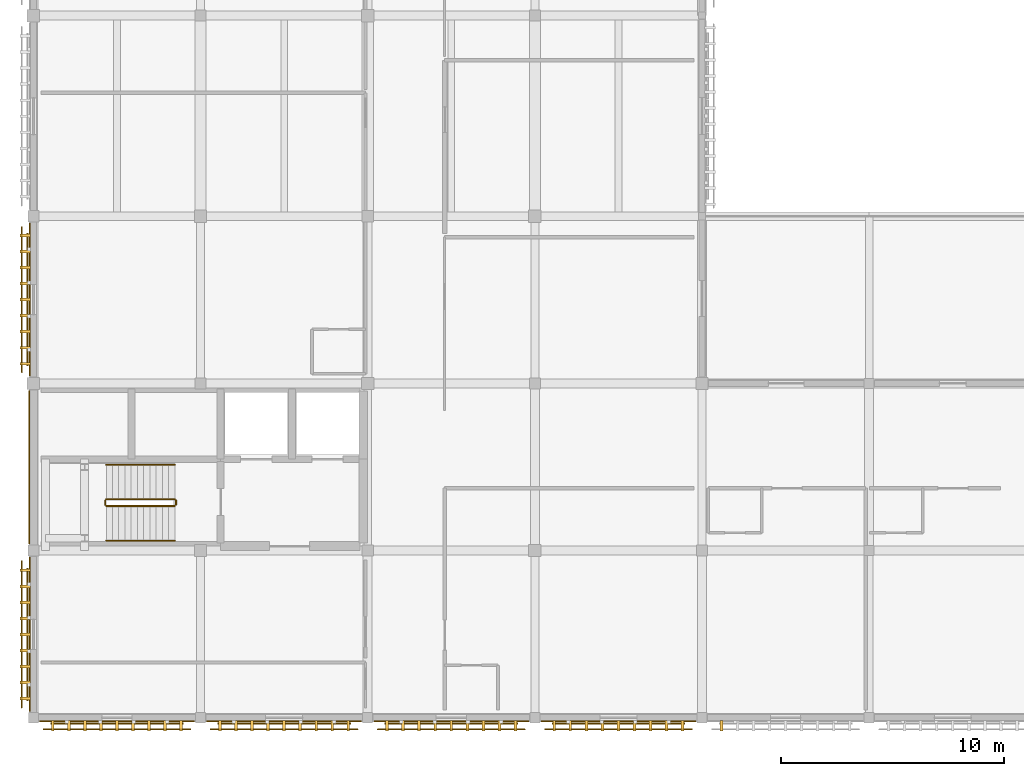
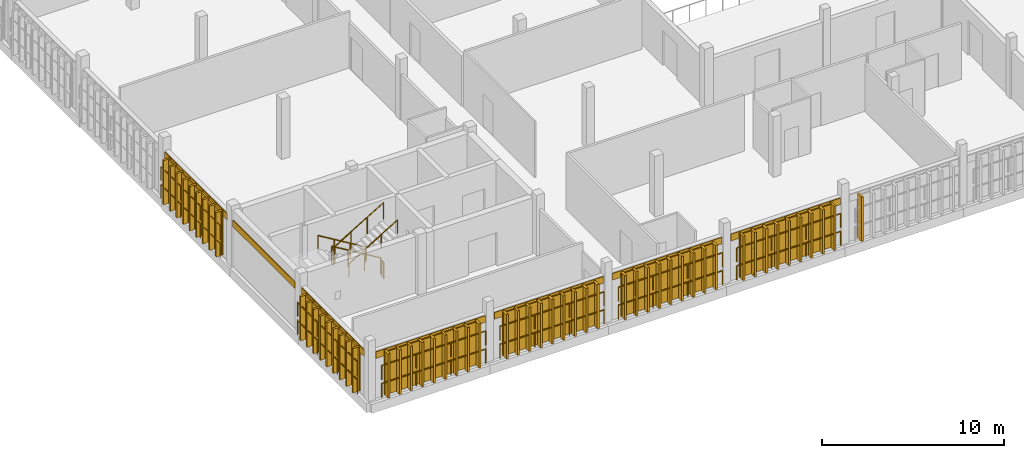
# One storey, part 13 of 17: 62 coverings, 24 shading devices, 18 railings.
"""IFC4 building model written with IfcOpenShell, lengths in metres."""

from ifc_helpers import new_model, si_unit, direction, frame, origin, origin_2d, place, context, subcontext, project, spatial, rectangle, circle, extrude, material, layer, layer_set, type_object, element, save


model = new_model("IFC4")

# Units and contexts
model_context = context("Model", 3, precision=1e-05, world=origin(), true_north=direction((0.0, 1.0)))
body_context = subcontext(model_context, "Body", "Model", "MODEL_VIEW")
ifc_project = project(units=[si_unit("LENGTHUNIT", "METRE"), si_unit("AREAUNIT", "SQUARE_METRE"), si_unit("VOLUMEUNIT", "CUBIC_METRE"), si_unit("PLANEANGLEUNIT", "RADIAN"), si_unit("MASSUNIT", "GRAM", prefix="KILO")], contexts=[model_context])

# Site, building, storey
site_placement = place(None, origin())
site = spatial("IfcSite", under=ifc_project, at=site_placement, CompositionType="ELEMENT")
building_placement = place(site_placement, origin())
building = spatial("IfcBuilding", under=site, at=building_placement, Name="Dalvernix Boulevard General Hospital", CompositionType="ELEMENT")
storey_placement = place(building_placement, frame((0.0, 0.0, 25.949951171875)))
storey = spatial("IfcBuildingStorey", under=building, at=storey_placement, Name="L06", CompositionType="ELEMENT", Elevation=25.949951171875)

# Coverings
ifc_material_1 = material(Name="Polychrome Catalan glazed ceramic spandrel tile panel")
ifc_layer_1 = layer(ifc_material_1, 0.044921875)
ifc_layer_set_1 = layer_set([ifc_layer_1], Name="Polychrome Catalan glazed ceramic spandrel tile panel (COV-CLD-01)")
covering_type_1 = type_object("IfcCoveringType", Name="COV-CLD-01", PredefinedType="CLADDING", material=ifc_layer_set_1)
covering_1_placement = place(storey_placement, frame((3.75, -0.159912109375, 2.6953125), z_axis=(0.0, 0.0, 1.0), x_axis=(-1.0, 0.0, 0.0)))
element("IfcCovering", 1, at=covering_1_placement, inside=storey, type_object=covering_type_1, Name="L06 polychrome ceramic spandrel S 0-0", PredefinedType="CLADDING", context=body_context, shape_type="SweptSolid", body=[
    extrude(rectangle(XDim=6.929931640625, YDim=0.044921875, at=origin_2d()), origin(), (0.0, 0.0, 1.0), 0.449951171875),
])
covering_2_placement = place(storey_placement, frame((-0.159912109375, 3.737548828125, 2.6953125), z_axis=(0.0, 0.0, 1.0), x_axis=(0.0, 1.0, 0.0)))
element("IfcCovering", 2, at=covering_2_placement, inside=storey, type_object=covering_type_1, Name="L06 polychrome ceramic spandrel W 0-0", PredefinedType="CLADDING", context=body_context, shape_type="SweptSolid", body=[
    extrude(rectangle(XDim=6.905029296875, YDim=0.044921875, at=origin_2d()), origin(), (0.0, 0.0, 1.0), 0.449951171875),
])
for number, where, z_axis, x_axis, name in (
    (3, (-0.195068359375, 11.237548828125, 2.6953125), (0.0, 0.0, 1.0), (0.0, 1.0, 0.0), "L06 polychrome ceramic spandrel W 0-1"),
    (4, (-0.159912109375, 18.762451171875, 2.6953125), (0.0, 0.0, 1.0), (0.0, 1.0, 0.0), "L06 polychrome ceramic spandrel W 0-2"),
):
    element("IfcCovering", number, at=place(storey_placement, frame(where, z_axis=z_axis, x_axis=x_axis)), inside=storey, type_object=covering_type_1, Name=name, PredefinedType="CLADDING", context=body_context, shape_type="SweptSolid", body=[
        extrude(rectangle(XDim=6.85498046875, YDim=0.044921875, at=origin_2d()), origin(), (0.0, 0.0, 1.0), 0.449951171875),
    ])
for number, where, z_axis, x_axis, name in (
    (5, (11.25, -0.159912109375, 2.6953125), (0.0, 0.0, 1.0), (-1.0, 0.0, 0.0), "L06 polychrome ceramic spandrel S 1-0"),
    (6, (18.75, -0.159912109375, 2.6953125), (0.0, 0.0, 1.0), (-1.0, 0.0, 0.0), "L06 polychrome ceramic spandrel S 2-0"),
    (7, (26.25, -0.159912109375, 2.6953125), (0.0, 0.0, 1.0), (-1.0, 0.0, 0.0), "L06 polychrome ceramic spandrel S 3-0"),
):
    element("IfcCovering", number, at=place(storey_placement, frame(where, z_axis=z_axis, x_axis=x_axis)), inside=storey, type_object=covering_type_1, Name=name, PredefinedType="CLADDING", context=body_context, shape_type="SweptSolid", body=[
        extrude(rectangle(XDim=6.929931640625, YDim=0.044921875, at=origin_2d()), origin(), (0.0, 0.0, 1.0), 0.449951171875),
    ])
ifc_material_2 = material(Name="Preservative-treated West African iroko timber lattice screen", Category="wood")
ifc_layer_2 = layer(ifc_material_2, 0.1201171875)
ifc_layer_set_2 = layer_set([ifc_layer_2], Name="Preservative-treated West African iroko timber lattice screen (COV-TSCR-01)")
covering_type_2 = type_object("IfcCoveringType", Name="COV-TSCR-01", PredefinedType="CLADDING", material=ifc_layer_set_2)
for number, where, z_axis, x_axis, name in (
    (8, (6.6298828125, -0.360107421875, 0.10009765625), (0.0, 0.0, 1.0), (-1.0, 0.0, 0.0), "L06 upper-ward timber screen blade S 0-0-1"),
    (9, (5.909912109375, -0.360107421875, 0.10009765625), (0.0, 0.0, 1.0), (-1.0, 0.0, 0.0), "L06 upper-ward timber screen blade S 0-0-2"),
    (10, (5.18994140625, -0.360107421875, 0.10009765625), (0.0, 0.0, 1.0), (-1.0, 0.0, 0.0), "L06 upper-ward timber screen blade S 0-0-3"),
    (11, (4.469970703125, -0.360107421875, 0.10009765625), (0.0, 0.0, 1.0), (-1.0, 0.0, 0.0), "L06 upper-ward timber screen blade S 0-0-4"),
    (12, (3.75, -0.360107421875, 0.10009765625), (0.0, 0.0, 1.0), (-1.0, 0.0, 0.0), "L06 upper-ward timber screen blade S 0-0-5"),
    (13, (3.030029296875, -0.360107421875, 0.10009765625), (0.0, 0.0, 1.0), (-1.0, 0.0, 0.0), "L06 upper-ward timber screen blade S 0-0-6"),
    (14, (2.31005859375, -0.360107421875, 0.10009765625), (0.0, 0.0, 1.0), (-1.0, 0.0, 0.0), "L06 upper-ward timber screen blade S 0-0-7"),
    (15, (1.590087890625, -0.360107421875, 0.10009765625), (0.0, 0.0, 1.0), (-1.0, 0.0, 0.0), "L06 upper-ward timber screen blade S 0-0-8"),
    (16, (0.8701171875, -0.360107421875, 0.10009765625), (0.0, 0.0, 1.0), (-1.0, 0.0, 0.0), "L06 upper-ward timber screen blade S 0-0-9"),
    (17, (-0.360107421875, 0.857421875, 0.10009765625), (0.0, 0.0, 1.0), (0.0, 1.0, 0.0), "L06 upper-ward timber screen blade W 0-0-1"),
    (18, (-0.360107421875, 1.577392578125, 0.10009765625), (0.0, 0.0, 1.0), (0.0, 1.0, 0.0), "L06 upper-ward timber screen blade W 0-0-2"),
    (19, (-0.360107421875, 2.297607421875, 0.10009765625), (0.0, 0.0, 1.0), (0.0, 1.0, 0.0), "L06 upper-ward timber screen blade W 0-0-3"),
    (20, (-0.360107421875, 3.017578125, 0.10009765625), (0.0, 0.0, 1.0), (0.0, 1.0, 0.0), "L06 upper-ward timber screen blade W 0-0-4"),
    (21, (-0.360107421875, 3.737548828125, 0.10009765625), (0.0, 0.0, 1.0), (0.0, 1.0, 0.0), "L06 upper-ward timber screen blade W 0-0-5"),
    (22, (-0.360107421875, 4.45751953125, 0.10009765625), (0.0, 0.0, 1.0), (0.0, 1.0, 0.0), "L06 upper-ward timber screen blade W 0-0-6"),
    (23, (-0.360107421875, 5.177490234375, 0.10009765625), (0.0, 0.0, 1.0), (0.0, 1.0, 0.0), "L06 upper-ward timber screen blade W 0-0-7"),
    (24, (-0.360107421875, 5.8974609375, 0.10009765625), (0.0, 0.0, 1.0), (0.0, 1.0, 0.0), "L06 upper-ward timber screen blade W 0-0-8"),
    (25, (-0.360107421875, 6.617431640625, 0.10009765625), (0.0, 0.0, 1.0), (0.0, 1.0, 0.0), "L06 upper-ward timber screen blade W 0-0-9"),
    (26, (-0.360107421875, 15.882568359375, 0.10009765625), (0.0, 0.0, 1.0), (0.0, 1.0, 0.0), "L06 upper-ward timber screen blade W 0-2-1"),
    (27, (-0.360107421875, 16.6025390625, 0.10009765625), (0.0, 0.0, 1.0), (0.0, 1.0, 0.0), "L06 upper-ward timber screen blade W 0-2-2"),
    (28, (-0.360107421875, 17.322509765625, 0.10009765625), (0.0, 0.0, 1.0), (0.0, 1.0, 0.0), "L06 upper-ward timber screen blade W 0-2-3"),
    (29, (-0.360107421875, 18.04248046875, 0.10009765625), (0.0, 0.0, 1.0), (0.0, 1.0, 0.0), "L06 upper-ward timber screen blade W 0-2-4"),
    (30, (-0.360107421875, 18.762451171875, 0.10009765625), (0.0, 0.0, 1.0), (0.0, 1.0, 0.0), "L06 upper-ward timber screen blade W 0-2-5"),
    (31, (-0.360107421875, 19.482421875, 0.10009765625), (0.0, 0.0, 1.0), (0.0, 1.0, 0.0), "L06 upper-ward timber screen blade W 0-2-6"),
    (32, (-0.360107421875, 20.202392578125, 0.10009765625), (0.0, 0.0, 1.0), (0.0, 1.0, 0.0), "L06 upper-ward timber screen blade W 0-2-7"),
    (33, (-0.360107421875, 20.922607421875, 0.10009765625), (0.0, 0.0, 1.0), (0.0, 1.0, 0.0), "L06 upper-ward timber screen blade W 0-2-8"),
    (34, (-0.360107421875, 21.642578125, 0.10009765625), (0.0, 0.0, 1.0), (0.0, 1.0, 0.0), "L06 upper-ward timber screen blade W 0-2-9"),
    (35, (14.1298828125, -0.360107421875, 0.10009765625), (0.0, 0.0, 1.0), (-1.0, 0.0, 0.0), "L06 upper-ward timber screen blade S 1-0-1"),
    (36, (13.409912109375, -0.360107421875, 0.10009765625), (0.0, 0.0, 1.0), (-1.0, 0.0, 0.0), "L06 upper-ward timber screen blade S 1-0-2"),
    (37, (12.68994140625, -0.360107421875, 0.10009765625), (0.0, 0.0, 1.0), (-1.0, 0.0, 0.0), "L06 upper-ward timber screen blade S 1-0-3"),
    (38, (11.969970703125, -0.360107421875, 0.10009765625), (0.0, 0.0, 1.0), (-1.0, 0.0, 0.0), "L06 upper-ward timber screen blade S 1-0-4"),
    (39, (11.25, -0.360107421875, 0.10009765625), (0.0, 0.0, 1.0), (-1.0, 0.0, 0.0), "L06 upper-ward timber screen blade S 1-0-5"),
    (40, (10.530029296875, -0.360107421875, 0.10009765625), (0.0, 0.0, 1.0), (-1.0, 0.0, 0.0), "L06 upper-ward timber screen blade S 1-0-6"),
    (41, (9.81005859375, -0.360107421875, 0.10009765625), (0.0, 0.0, 1.0), (-1.0, 0.0, 0.0), "L06 upper-ward timber screen blade S 1-0-7"),
    (42, (9.090087890625, -0.360107421875, 0.10009765625), (0.0, 0.0, 1.0), (-1.0, 0.0, 0.0), "L06 upper-ward timber screen blade S 1-0-8"),
    (43, (8.3701171875, -0.360107421875, 0.10009765625), (0.0, 0.0, 1.0), (-1.0, 0.0, 0.0), "L06 upper-ward timber screen blade S 1-0-9"),
    (44, (21.6298828125, -0.360107421875, 0.10009765625), (0.0, 0.0, 1.0), (-1.0, 0.0, 0.0), "L06 upper-ward timber screen blade S 2-0-1"),
    (45, (20.909912109375, -0.360107421875, 0.10009765625), (0.0, 0.0, 1.0), (-1.0, 0.0, 0.0), "L06 upper-ward timber screen blade S 2-0-2"),
    (46, (20.18994140625, -0.360107421875, 0.10009765625), (0.0, 0.0, 1.0), (-1.0, 0.0, 0.0), "L06 upper-ward timber screen blade S 2-0-3"),
    (47, (19.469970703125, -0.360107421875, 0.10009765625), (0.0, 0.0, 1.0), (-1.0, 0.0, 0.0), "L06 upper-ward timber screen blade S 2-0-4"),
    (48, (18.75, -0.360107421875, 0.10009765625), (0.0, 0.0, 1.0), (-1.0, 0.0, 0.0), "L06 upper-ward timber screen blade S 2-0-5"),
    (49, (18.030029296875, -0.360107421875, 0.10009765625), (0.0, 0.0, 1.0), (-1.0, 0.0, 0.0), "L06 upper-ward timber screen blade S 2-0-6"),
    (50, (17.31005859375, -0.360107421875, 0.10009765625), (0.0, 0.0, 1.0), (-1.0, 0.0, 0.0), "L06 upper-ward timber screen blade S 2-0-7"),
    (51, (16.590087890625, -0.360107421875, 0.10009765625), (0.0, 0.0, 1.0), (-1.0, 0.0, 0.0), "L06 upper-ward timber screen blade S 2-0-8"),
    (52, (15.8701171875, -0.360107421875, 0.10009765625), (0.0, 0.0, 1.0), (-1.0, 0.0, 0.0), "L06 upper-ward timber screen blade S 2-0-9"),
    (53, (29.1298828125, -0.360107421875, 0.10009765625), (0.0, 0.0, 1.0), (-1.0, 0.0, 0.0), "L06 upper-ward timber screen blade S 3-0-1"),
    (54, (28.409912109375, -0.360107421875, 0.10009765625), (0.0, 0.0, 1.0), (-1.0, 0.0, 0.0), "L06 upper-ward timber screen blade S 3-0-2"),
    (55, (27.68994140625, -0.360107421875, 0.10009765625), (0.0, 0.0, 1.0), (-1.0, 0.0, 0.0), "L06 upper-ward timber screen blade S 3-0-3"),
    (56, (26.969970703125, -0.360107421875, 0.10009765625), (0.0, 0.0, 1.0), (-1.0, 0.0, 0.0), "L06 upper-ward timber screen blade S 3-0-4"),
    (57, (26.25, -0.360107421875, 0.10009765625), (0.0, 0.0, 1.0), (-1.0, 0.0, 0.0), "L06 upper-ward timber screen blade S 3-0-5"),
    (58, (25.530029296875, -0.360107421875, 0.10009765625), (0.0, 0.0, 1.0), (-1.0, 0.0, 0.0), "L06 upper-ward timber screen blade S 3-0-6"),
    (59, (24.81005859375, -0.360107421875, 0.10009765625), (0.0, 0.0, 1.0), (-1.0, 0.0, 0.0), "L06 upper-ward timber screen blade S 3-0-7"),
    (60, (24.090087890625, -0.360107421875, 0.10009765625), (0.0, 0.0, 1.0), (-1.0, 0.0, 0.0), "L06 upper-ward timber screen blade S 3-0-8"),
    (61, (23.3701171875, -0.360107421875, 0.10009765625), (0.0, 0.0, 1.0), (-1.0, 0.0, 0.0), "L06 upper-ward timber screen blade S 3-0-9"),
    (62, (30.8701171875, -0.360107421875, 0.10009765625), (0.0, 0.0, 1.0), (-1.0, 0.0, 0.0), "L06 upper-ward timber screen blade S 4-0-9"),
):
    element("IfcCovering", number, at=place(storey_placement, frame(where, z_axis=z_axis, x_axis=x_axis)), inside=storey, type_object=covering_type_2, Name=name, PredefinedType="CLADDING", context=body_context, shape_type="SweptSolid", body=[
        extrude(rectangle(XDim=0.1298828125, YDim=0.47998046875, at=origin_2d()), origin(), (0.0, 0.0, 1.0), 2.969970703125),
    ])

# Railings
ifc_material_3 = material(Name="Brushed stainless steel balustrade", Category="steel")
railing_type_1 = type_object("IfcRailingType", Name="RL-GR-INT1", PredefinedType="BALUSTRADE", material=ifc_material_3)
railing_1_placement = place(storey_placement, frame((6.35009765625, 9.800048828125, 0.168701171875)))
element("IfcRailing", 63, at=railing_1_placement, inside=storey, type_object=railing_type_1, Name="L06 ST-01 stair guard 1", PredefinedType="BALUSTRADE", context=body_context, shape_type="SweptSolid", body=[
    extrude(circle(Radius=0.02392578125, at=origin_2d()), frame((0.0, 0.0, 1.09619140625), z_axis=(-0.856460923124, 0.0, 0.51621186267), x_axis=(0.0, -1.0, 0.0)), (0.0, 0.0, 1.0), 3.59619140625),
    extrude(circle(Radius=0.02099609375, at=origin_2d()), origin(), (0.0, 0.0, 1.0), 1.072021484375),
    extrude(circle(Radius=0.02099609375, at=origin_2d()), frame((-1.026611328125, 0.0, 0.618896484375)), (0.0, 0.0, 1.0), 1.072021484375),
    extrude(circle(Radius=0.02099609375, at=origin_2d()), frame((-2.053466796875, 0.0, 1.237548828125)), (0.0, 0.0, 1.0), 1.072021484375),
    extrude(circle(Radius=0.02099609375, at=origin_2d()), frame((-3.080078125, 0.0, 1.8564453125)), (0.0, 0.0, 1.0), 1.072021484375),
])
railing_2_placement = place(storey_placement, frame((3.219970703125, 9.75, 2.025146484375)))
element("IfcRailing", 64, at=railing_2_placement, inside=storey, type_object=railing_type_1, Name="L06 ST-01 stair guard 2", PredefinedType="BALUSTRADE", context=body_context, shape_type="SweptSolid", body=[
    extrude(circle(Radius=0.02392578125, at=origin_2d()), frame((0.0, 0.0, 1.09619140625), z_axis=(0.0, -1.0, 0.0), x_axis=(1.0, 0.0, 0.0)), (0.0, 0.0, 1.0), 0.199951171875),
    extrude(circle(Radius=0.02099609375, at=origin_2d()), origin(), (0.0, 0.0, 1.0), 1.072021484375),
    extrude(circle(Radius=0.02099609375, at=origin_2d()), frame((0.0, -0.199951171875, 0.0)), (0.0, 0.0, 1.0), 1.072021484375),
])
railing_3_placement = place(storey_placement, frame((3.27001953125, 9.5, 2.19384765625)))
element("IfcRailing", 65, at=railing_3_placement, inside=storey, type_object=railing_type_1, Name="L06 ST-01 stair guard 3", PredefinedType="BALUSTRADE", context=body_context, shape_type="SweptSolid", body=[
    extrude(circle(Radius=0.02392578125, at=origin_2d()), frame((0.0, 0.0, 1.09619140625), z_axis=(0.856490936558, 0.0, 0.516162063304), x_axis=(0.0, 1.0, 0.0)), (0.0, 0.0, 1.0), 3.59619140625),
    extrude(circle(Radius=0.02099609375, at=origin_2d()), origin(), (0.0, 0.0, 1.0), 1.072021484375),
    extrude(circle(Radius=0.02099609375, at=origin_2d()), frame((1.026611328125, 0.0, 0.61865234375)), (0.0, 0.0, 1.0), 1.072021484375),
    extrude(circle(Radius=0.02099609375, at=origin_2d()), frame((2.053466796875, 0.0, 1.237548828125)), (0.0, 0.0, 1.0), 1.072021484375),
    extrude(circle(Radius=0.02099609375, at=origin_2d()), frame((3.080078125, 0.0, 1.856201171875)), (0.0, 0.0, 1.0), 1.072021484375),
])
railing_4_placement = place(storey_placement, frame((6.39990234375, 9.75, 0.0)))
element("IfcRailing", 66, at=railing_4_placement, inside=storey, type_object=railing_type_1, Name="L06 ST-01 stair guard 4", PredefinedType="BALUSTRADE", context=body_context, shape_type="SweptSolid", body=[
    extrude(circle(Radius=0.02392578125, at=origin_2d()), frame((0.0, 0.0, 1.09619140625), z_axis=(0.0, -1.0, 0.0), x_axis=(1.0, 0.0, 0.0)), (0.0, 0.0, 1.0), 0.199951171875),
    extrude(circle(Radius=0.02099609375, at=origin_2d()), origin(), (0.0, 0.0, 1.0), 1.072021484375),
    extrude(circle(Radius=0.02099609375, at=origin_2d()), frame((0.0, -0.199951171875, 0.0)), (0.0, 0.0, 1.0), 1.072021484375),
])
ifc_material_4 = material(Name="Brushed stainless steel wall handrail", Category="steel")
railing_type_2 = type_object("IfcRailingType", Name="RL-HR-INT1", PredefinedType="HANDRAIL", material=ifc_material_4)
railing_5_placement = place(storey_placement, frame((6.35009765625, 11.35009765625, 0.168701171875)))
element("IfcRailing", 67, at=railing_5_placement, inside=storey, type_object=railing_type_2, Name="L06 ST-01 stair handrail 1", PredefinedType="HANDRAIL", context=body_context, shape_type="SweptSolid", body=[
    extrude(circle(Radius=0.02392578125, at=origin_2d()), frame((0.0, 0.0, 0.8759765625), z_axis=(-0.856460923124, 0.0, 0.51621186267), x_axis=(0.0, -1.0, 0.0)), (0.0, 0.0, 1.0), 3.59619140625),
    extrude(circle(Radius=0.02099609375, at=origin_2d()), origin(), (0.0, 0.0, 1.0), 0.851806640625),
    extrude(circle(Radius=0.02099609375, at=origin_2d()), frame((-1.026611328125, 0.0, 0.618896484375)), (0.0, 0.0, 1.0), 0.851806640625),
    extrude(circle(Radius=0.02099609375, at=origin_2d()), frame((-2.053466796875, 0.0, 1.237548828125)), (0.0, 0.0, 1.0), 0.851806640625),
    extrude(circle(Radius=0.02099609375, at=origin_2d()), frame((-3.080078125, 0.0, 1.8564453125)), (0.0, 0.0, 1.0), 0.851806640625),
])
railing_6_placement = place(storey_placement, frame((3.27001953125, 7.949951171875, 2.19384765625)))
element("IfcRailing", 68, at=railing_6_placement, inside=storey, type_object=railing_type_2, Name="L06 ST-01 stair handrail 2", PredefinedType="HANDRAIL", context=body_context, shape_type="SweptSolid", body=[
    extrude(circle(Radius=0.02392578125, at=origin_2d()), frame((0.0, 0.0, 0.8759765625), z_axis=(0.856490936558, 0.0, 0.516162063304), x_axis=(0.0, 1.0, 0.0)), (0.0, 0.0, 1.0), 3.59619140625),
    extrude(circle(Radius=0.02099609375, at=origin_2d()), origin(), (0.0, 0.0, 1.0), 0.851806640625),
    extrude(circle(Radius=0.02099609375, at=origin_2d()), frame((1.026611328125, 0.0, 0.61865234375)), (0.0, 0.0, 1.0), 0.851806640625),
    extrude(circle(Radius=0.02099609375, at=origin_2d()), frame((2.053466796875, 0.0, 1.237548828125)), (0.0, 0.0, 1.0), 0.851806640625),
    extrude(circle(Radius=0.02099609375, at=origin_2d()), frame((3.080078125, 0.0, 1.856201171875)), (0.0, 0.0, 1.0), 0.851806640625),
])
ifc_material_5 = material(Name="Preservative-treated iroko timber horizontal screen louver rail", Category="wood")
railing_type_3 = type_object("IfcRailingType", Name="RL-TSCR-01", PredefinedType="BALUSTRADE", material=ifc_material_5)
for number, where, name in (
    (69, (7.044921875, -0.52001953125, 0.25), "L06 upper-ward horizontal timber screen louver S 0-0-1"),
    (70, (7.044921875, -0.52001953125, 1.449951171875), "L06 upper-ward horizontal timber screen louver S 0-0-2"),
):
    element("IfcRailing", number, at=place(storey_placement, frame(where)), inside=storey, type_object=railing_type_3, Name=name, PredefinedType="BALUSTRADE", context=body_context, shape_type="SweptSolid", body=[
        extrude(circle(Radius=0.02392578125, at=origin_2d()), frame((0.0, 0.0, 0.92578125), z_axis=(-1.0, 0.0, 0.0), x_axis=(0.0, -1.0, 0.0)), (0.0, 0.0, 1.0), 6.58984375),
        extrude(circle(Radius=0.02099609375, at=origin_2d()), origin(), (0.0, 0.0, 1.0), 0.90185546875),
        extrude(circle(Radius=0.02099609375, at=origin_2d()), frame((-1.098388671875, 0.0, 0.0)), (0.0, 0.0, 1.0), 0.90185546875),
        extrude(circle(Radius=0.02099609375, at=origin_2d()), frame((-2.196533203125, 0.0, 0.0)), (0.0, 0.0, 1.0), 0.90185546875),
        extrude(circle(Radius=0.02099609375, at=origin_2d()), frame((-3.294921875, 0.0, 0.0)), (0.0, 0.0, 1.0), 0.90185546875),
        extrude(circle(Radius=0.02099609375, at=origin_2d()), frame((-4.393310546875, 0.0, 0.0)), (0.0, 0.0, 1.0), 0.90185546875),
        extrude(circle(Radius=0.02099609375, at=origin_2d()), frame((-5.491455078125, 0.0, 0.0)), (0.0, 0.0, 1.0), 0.90185546875),
        extrude(circle(Radius=0.02099609375, at=origin_2d()), frame((-6.58984375, 0.0, 0.0)), (0.0, 0.0, 1.0), 0.90185546875),
    ])
for number, where, name in (
    (71, (-0.52001953125, 0.455078125, 0.25), "L06 upper-ward horizontal timber screen louver W 0-0-1"),
    (72, (-0.52001953125, 0.455078125, 1.449951171875), "L06 upper-ward horizontal timber screen louver W 0-0-2"),
):
    element("IfcRailing", number, at=place(storey_placement, frame(where)), inside=storey, type_object=railing_type_3, Name=name, PredefinedType="BALUSTRADE", context=body_context, shape_type="SweptSolid", body=[
        extrude(circle(Radius=0.02392578125, at=origin_2d()), frame((0.0, 0.0, 0.92578125), z_axis=(0.0, 1.0, 0.0), x_axis=(-1.0, 0.0, 0.0)), (0.0, 0.0, 1.0), 6.56494140625),
        extrude(circle(Radius=0.02099609375, at=origin_2d()), origin(), (0.0, 0.0, 1.0), 0.90185546875),
        extrude(circle(Radius=0.02099609375, at=origin_2d()), frame((0.0, 1.09423828125, 0.0)), (0.0, 0.0, 1.0), 0.90185546875),
        extrude(circle(Radius=0.02099609375, at=origin_2d()), frame((0.0, 2.188232421875, 0.0)), (0.0, 0.0, 1.0), 0.90185546875),
        extrude(circle(Radius=0.02099609375, at=origin_2d()), frame((0.0, 3.282470703125, 0.0)), (0.0, 0.0, 1.0), 0.90185546875),
        extrude(circle(Radius=0.02099609375, at=origin_2d()), frame((0.0, 4.376708984375, 0.0)), (0.0, 0.0, 1.0), 0.90185546875),
        extrude(circle(Radius=0.02099609375, at=origin_2d()), frame((0.0, 5.470703125, 0.0)), (0.0, 0.0, 1.0), 0.90185546875),
        extrude(circle(Radius=0.02099609375, at=origin_2d()), frame((0.0, 6.56494140625, 0.0)), (0.0, 0.0, 1.0), 0.90185546875),
    ])
for number, where, name in (
    (73, (-0.52001953125, 15.5048828125, 0.25), "L06 upper-ward horizontal timber screen louver W 0-2-1"),
    (74, (-0.52001953125, 15.5048828125, 1.449951171875), "L06 upper-ward horizontal timber screen louver W 0-2-2"),
):
    element("IfcRailing", number, at=place(storey_placement, frame(where)), inside=storey, type_object=railing_type_3, Name=name, PredefinedType="BALUSTRADE", context=body_context, shape_type="SweptSolid", body=[
        extrude(circle(Radius=0.02392578125, at=origin_2d()), frame((0.0, 0.0, 0.92578125), z_axis=(0.0, 1.0, 0.0), x_axis=(-1.0, 0.0, 0.0)), (0.0, 0.0, 1.0), 6.51513671875),
        extrude(circle(Radius=0.02099609375, at=origin_2d()), origin(), (0.0, 0.0, 1.0), 0.90185546875),
        extrude(circle(Radius=0.02099609375, at=origin_2d()), frame((0.0, 1.0859375, 0.0)), (0.0, 0.0, 1.0), 0.90185546875),
        extrude(circle(Radius=0.02099609375, at=origin_2d()), frame((0.0, 2.171630859375, 0.0)), (0.0, 0.0, 1.0), 0.90185546875),
        extrude(circle(Radius=0.02099609375, at=origin_2d()), frame((0.0, 3.257568359375, 0.0)), (0.0, 0.0, 1.0), 0.90185546875),
        extrude(circle(Radius=0.02099609375, at=origin_2d()), frame((0.0, 4.343505859375, 0.0)), (0.0, 0.0, 1.0), 0.90185546875),
        extrude(circle(Radius=0.02099609375, at=origin_2d()), frame((0.0, 5.42919921875, 0.0)), (0.0, 0.0, 1.0), 0.90185546875),
        extrude(circle(Radius=0.02099609375, at=origin_2d()), frame((0.0, 6.51513671875, 0.0)), (0.0, 0.0, 1.0), 0.90185546875),
    ])
for number, where, name in (
    (75, (14.544921875, -0.52001953125, 0.25), "L06 upper-ward horizontal timber screen louver S 1-0-1"),
    (76, (14.544921875, -0.52001953125, 1.449951171875), "L06 upper-ward horizontal timber screen louver S 1-0-2"),
    (77, (22.044921875, -0.52001953125, 0.25), "L06 upper-ward horizontal timber screen louver S 2-0-1"),
    (78, (22.044921875, -0.52001953125, 1.449951171875), "L06 upper-ward horizontal timber screen louver S 2-0-2"),
    (79, (29.544921875, -0.52001953125, 0.25), "L06 upper-ward horizontal timber screen louver S 3-0-1"),
    (80, (29.544921875, -0.52001953125, 1.449951171875), "L06 upper-ward horizontal timber screen louver S 3-0-2"),
):
    element("IfcRailing", number, at=place(storey_placement, frame(where)), inside=storey, type_object=railing_type_3, Name=name, PredefinedType="BALUSTRADE", context=body_context, shape_type="SweptSolid", body=[
        extrude(circle(Radius=0.02392578125, at=origin_2d()), frame((0.0, 0.0, 0.92578125), z_axis=(-1.0, 0.0, 0.0), x_axis=(0.0, -1.0, 0.0)), (0.0, 0.0, 1.0), 6.58984375),
        extrude(circle(Radius=0.02099609375, at=origin_2d()), origin(), (0.0, 0.0, 1.0), 0.90185546875),
        extrude(circle(Radius=0.02099609375, at=origin_2d()), frame((-1.098388671875, 0.0, 0.0)), (0.0, 0.0, 1.0), 0.90185546875),
        extrude(circle(Radius=0.02099609375, at=origin_2d()), frame((-2.196533203125, 0.0, 0.0)), (0.0, 0.0, 1.0), 0.90185546875),
        extrude(circle(Radius=0.02099609375, at=origin_2d()), frame((-3.294921875, 0.0, 0.0)), (0.0, 0.0, 1.0), 0.90185546875),
        extrude(circle(Radius=0.02099609375, at=origin_2d()), frame((-4.393310546875, 0.0, 0.0)), (0.0, 0.0, 1.0), 0.90185546875),
        extrude(circle(Radius=0.02099609375, at=origin_2d()), frame((-5.491455078125, 0.0, 0.0)), (0.0, 0.0, 1.0), 0.90185546875),
        extrude(circle(Radius=0.02099609375, at=origin_2d()), frame((-6.58984375, 0.0, 0.0)), (0.0, 0.0, 1.0), 0.90185546875),
    ])

# Shading devices
ifc_material_6 = material(Name="Perforated iroko timber and glazed ceramic screen (30 percent open)", Category="wood")
shading_device_type = type_object("IfcShadingDeviceType", Name="SHD-SCR-01", PredefinedType="USERDEFINED", material=ifc_material_6)
for number, where, z_axis, x_axis, name in (
    (81, (6.0, -0.260009765625, 0.14990234375), (0.0, 0.0, 1.0), (-1.0, 0.0, 0.0), "L06 perforated timber screen 1"),
    (82, (4.5, -0.260009765625, 0.14990234375), (0.0, 0.0, 1.0), (-1.0, 0.0, 0.0), "L06 perforated timber screen 2"),
    (83, (3.0, -0.260009765625, 0.14990234375), (0.0, 0.0, 1.0), (-1.0, 0.0, 0.0), "L06 perforated timber screen 3"),
    (84, (1.5, -0.260009765625, 0.14990234375), (0.0, 0.0, 1.0), (-1.0, 0.0, 0.0), "L06 perforated timber screen 4"),
    (85, (-0.260009765625, 1.487548828125, 0.14990234375), (0.0, 0.0, 1.0), (0.0, 1.0, 0.0), "L06 perforated timber screen 1"),
    (86, (-0.260009765625, 2.987548828125, 0.14990234375), (0.0, 0.0, 1.0), (0.0, 1.0, 0.0), "L06 perforated timber screen 2"),
    (87, (-0.260009765625, 4.487548828125, 0.14990234375), (0.0, 0.0, 1.0), (0.0, 1.0, 0.0), "L06 perforated timber screen 3"),
    (88, (-0.260009765625, 5.987548828125, 0.14990234375), (0.0, 0.0, 1.0), (0.0, 1.0, 0.0), "L06 perforated timber screen 4"),
    (89, (-0.260009765625, 16.512451171875, 0.14990234375), (0.0, 0.0, 1.0), (0.0, 1.0, 0.0), "L06 perforated timber screen 1"),
    (90, (-0.260009765625, 18.012451171875, 0.14990234375), (0.0, 0.0, 1.0), (0.0, 1.0, 0.0), "L06 perforated timber screen 2"),
    (91, (-0.260009765625, 19.512451171875, 0.14990234375), (0.0, 0.0, 1.0), (0.0, 1.0, 0.0), "L06 perforated timber screen 3"),
    (92, (-0.260009765625, 21.012451171875, 0.14990234375), (0.0, 0.0, 1.0), (0.0, 1.0, 0.0), "L06 perforated timber screen 4"),
    (93, (13.5, -0.260009765625, 0.14990234375), (0.0, 0.0, 1.0), (-1.0, 0.0, 0.0), "L06 perforated timber screen 1"),
    (94, (12.0, -0.260009765625, 0.14990234375), (0.0, 0.0, 1.0), (-1.0, 0.0, 0.0), "L06 perforated timber screen 2"),
    (95, (10.5, -0.260009765625, 0.14990234375), (0.0, 0.0, 1.0), (-1.0, 0.0, 0.0), "L06 perforated timber screen 3"),
    (96, (9.0, -0.260009765625, 0.14990234375), (0.0, 0.0, 1.0), (-1.0, 0.0, 0.0), "L06 perforated timber screen 4"),
    (97, (21.0, -0.260009765625, 0.14990234375), (0.0, 0.0, 1.0), (-1.0, 0.0, 0.0), "L06 perforated timber screen 1"),
    (98, (19.5, -0.260009765625, 0.14990234375), (0.0, 0.0, 1.0), (-1.0, 0.0, 0.0), "L06 perforated timber screen 2"),
    (99, (18.0, -0.260009765625, 0.14990234375), (0.0, 0.0, 1.0), (-1.0, 0.0, 0.0), "L06 perforated timber screen 3"),
    (100, (16.5, -0.260009765625, 0.14990234375), (0.0, 0.0, 1.0), (-1.0, 0.0, 0.0), "L06 perforated timber screen 4"),
    (101, (28.5, -0.260009765625, 0.14990234375), (0.0, 0.0, 1.0), (-1.0, 0.0, 0.0), "L06 perforated timber screen 1"),
    (102, (27.0, -0.260009765625, 0.14990234375), (0.0, 0.0, 1.0), (-1.0, 0.0, 0.0), "L06 perforated timber screen 2"),
    (103, (25.5, -0.260009765625, 0.14990234375), (0.0, 0.0, 1.0), (-1.0, 0.0, 0.0), "L06 perforated timber screen 3"),
    (104, (24.0, -0.260009765625, 0.14990234375), (0.0, 0.0, 1.0), (-1.0, 0.0, 0.0), "L06 perforated timber screen 4"),
):
    element("IfcShadingDevice", number, at=place(storey_placement, frame(where, z_axis=z_axis, x_axis=x_axis)), inside=storey, type_object=shading_device_type, Name=name, ObjectType="SCREEN", PredefinedType="USERDEFINED", context=body_context, shape_type="SweptSolid", body=[
        extrude(rectangle(XDim=1.4599609375, YDim=0.080078125, at=origin_2d()), origin(), (0.0, 0.0, 1.0), 2.8701171875),
    ])

save(model, "model.ifc")
